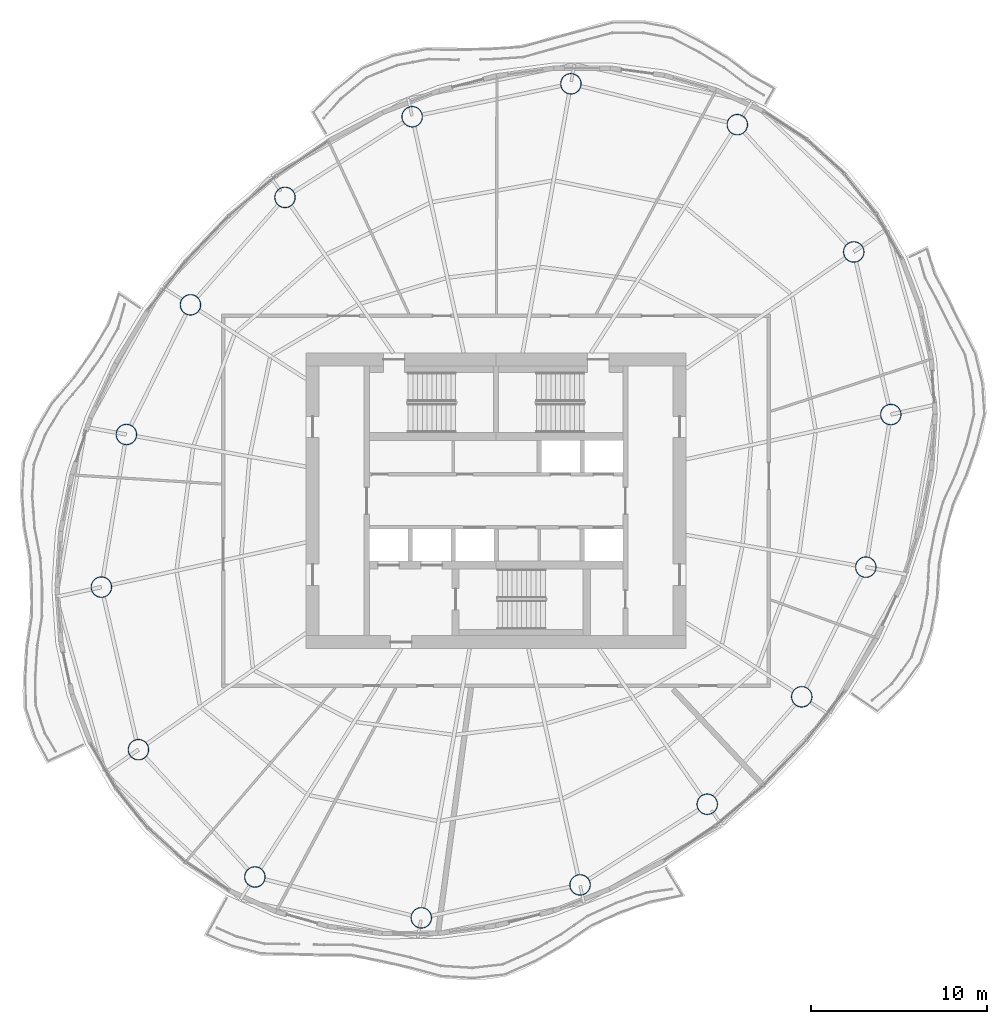
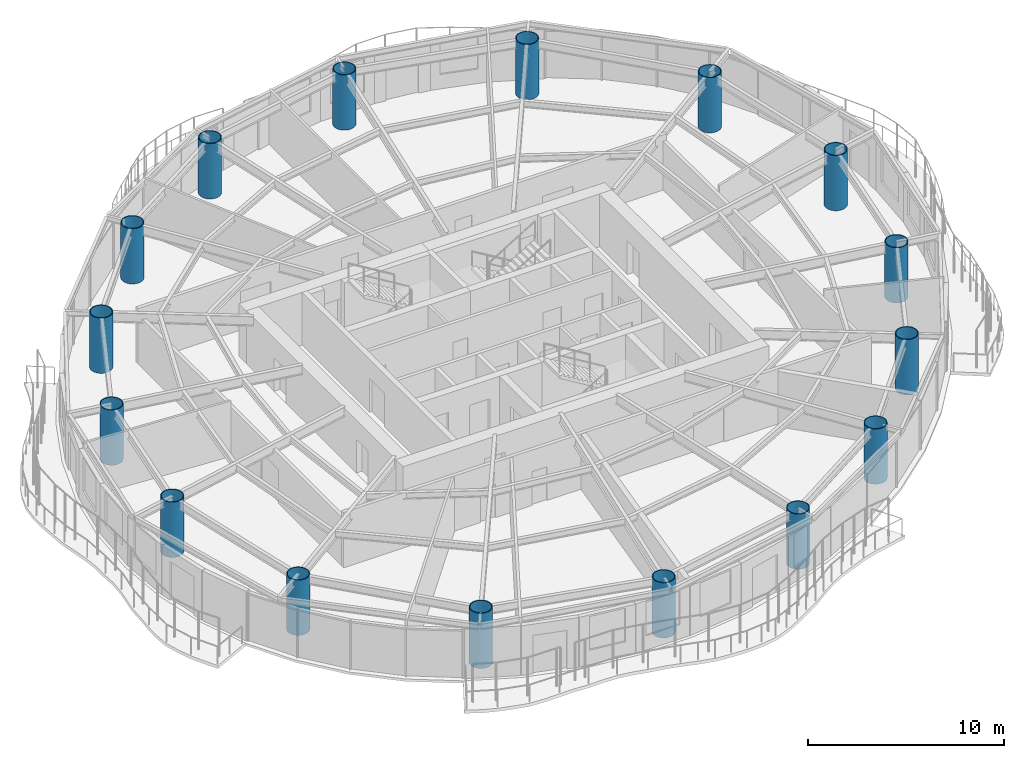
# One storey, part 1 of 14: 16 columns.
"""IFC4 building model written with IfcOpenShell, lengths in metres."""

from ifc_helpers import new_model, si_unit, direction, frame, origin, origin_2d, place, context, subcontext, project, spatial, hollow_circle, extrude, material, material_profile, profile_set, type_object, element, save


model = new_model("IFC4")

# Units and contexts
model_context = context("Model", 3, precision=1e-05, world=origin(), true_north=direction((0.0, 1.0)))
body_context = subcontext(model_context, "Body", "Model", "MODEL_VIEW")
ifc_project = project(units=[si_unit("LENGTHUNIT", "METRE"), si_unit("AREAUNIT", "SQUARE_METRE"), si_unit("VOLUMEUNIT", "CUBIC_METRE"), si_unit("PLANEANGLEUNIT", "RADIAN"), si_unit("MASSUNIT", "GRAM", prefix="KILO")], contexts=[model_context])

# Site, building, storey
site_placement = place(None, origin())
site = spatial("IfcSite", under=ifc_project, at=site_placement, CompositionType="ELEMENT")
building_placement = place(site_placement, origin())
building = spatial("IfcBuilding", under=site, at=building_placement, Name="Vermilion Reach Broadcast Tower", CompositionType="ELEMENT")
storey_placement = place(building_placement, frame((0.0, 0.0, 206.5)))
storey = spatial("IfcBuildingStorey", under=building, at=storey_placement, Name="L50", CompositionType="ELEMENT", Elevation=206.5)

# Columns
ifc_material = material(Name="Concrete C60 infill in steel S460NL tube", Category="concrete")
ifc_material_profile = material_profile(ifc_material, hollow_circle(Radius=0.60009765625, WallThickness=0.044921875, at=origin_2d()), Name="Concrete C60 infill in steel S460NL tube CFT 1200x45")
ifc_profile_set = profile_set([ifc_material_profile], Name="Concrete C60 infill in steel S460NL tube")
column_type = type_object("IfcColumnType", Name="MC4 CFT 1200x45", PredefinedType="COLUMN", material=ifc_profile_set)
for number, where, z_axis, x_axis, name in (
    (1, (7.70361328125, 21.3701171875, 0.0), (0.0, 0.0, 1.0), (1.0, 0.0, 0.0), "Mega-column MC4-01"),
    (2, (-1.75, 23.691162109375, 0.0), (0.0, 0.0, 1.0), (1.0, 0.0, 0.0), "Mega-column MC4-02"),
    (3, (-10.769287109375, 21.818603515625, 0.0), (0.0, 0.0, 1.0), (1.0, 0.0, 0.0), "Mega-column MC4-03"),
    (4, (-17.993408203125, 17.23681640625, 0.0), (0.0, 0.0, 1.0), (1.0, 0.0, 0.0), "Mega-column MC4-04"),
    (5, (-23.36279296875, 11.134033203125, 0.0), (0.0, 0.0, 1.0), (1.0, 0.0, 0.0), "Mega-column MC4-05"),
    (6, (-27.002685546875, 3.767578125, 0.0), (0.0, 0.0, 1.0), (1.0, 0.0, 0.0), "Mega-column MC4-06"),
    (7, (-28.423828125, -4.9013671875, 0.0), (0.0, 0.0, 1.0), (1.0, 0.0, 0.0), "Mega-column MC4-07"),
    (8, (-26.318115234375, -14.13720703125, 0.0), (0.0, 0.0, 1.0), (1.0, 0.0, 0.0), "Mega-column MC4-08"),
    (9, (-19.70361328125, -21.3701171875, 0.0), (0.0, 0.0, 1.0), (1.0, 0.0, 0.0), "Mega-column MC4-09"),
    (10, (-10.25, -23.691162109375, 0.0), (0.0, 0.0, 1.0), (1.0, 0.0, 0.0), "Mega-column MC4-10"),
    (11, (-1.230712890625, -21.818603515625, 0.0), (0.0, 0.0, 1.0), (1.0, 0.0, 0.0), "Mega-column MC4-11"),
    (12, (5.993408203125, -17.23681640625, 0.0), (0.0, 0.0, 1.0), (1.0, 0.0, 0.0), "Mega-column MC4-12"),
    (13, (11.36279296875, -11.134033203125, 0.0), (0.0, 0.0, 1.0), (1.0, 0.0, 0.0), "Mega-column MC4-13"),
    (14, (15.002685546875, -3.767578125, 0.0), (0.0, 0.0, 1.0), (1.0, 0.0, 0.0), "Mega-column MC4-14"),
    (15, (16.423828125, 4.9013671875, 0.0), (0.0, 0.0, 1.0), (1.0, 0.0, 0.0), "Mega-column MC4-15"),
    (16, (14.318115234375, 14.13720703125, 0.0), (0.0, 0.0, 1.0), (1.0, 0.0, 0.0), "Mega-column MC4-16"),
):
    element("IfcColumn", number, at=place(storey_placement, frame(where, z_axis=z_axis, x_axis=x_axis)), inside=storey, type_object=column_type, Name=name, PredefinedType="COLUMN", context=body_context, shape_type="SweptSolid", body=[
        extrude(hollow_circle(Radius=0.60009765625, WallThickness=0.044921875, at=origin_2d()), origin(), (0.0, 0.0, 1.0), 3.449951171875),
    ])

save(model, "model.ifc")
